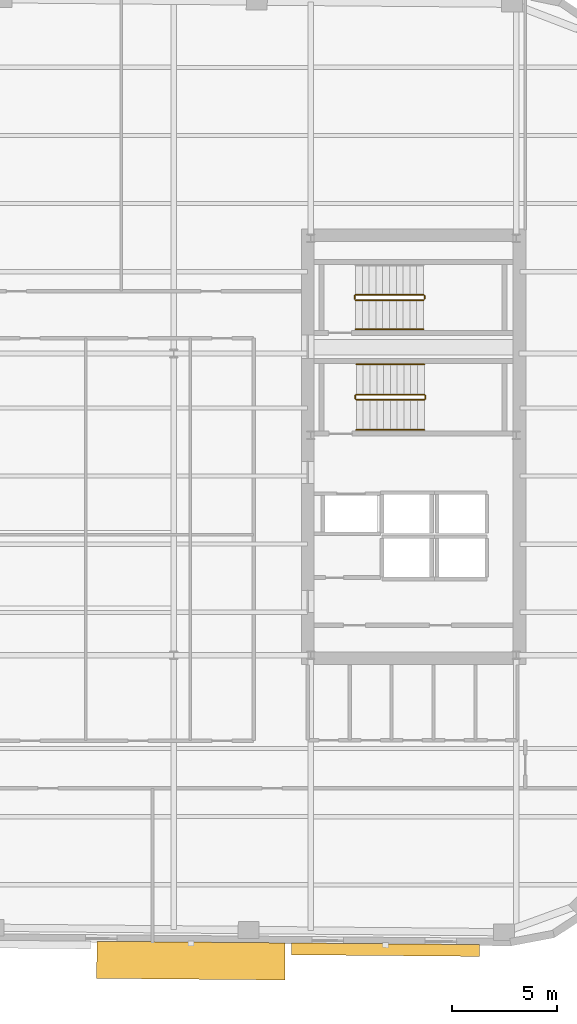
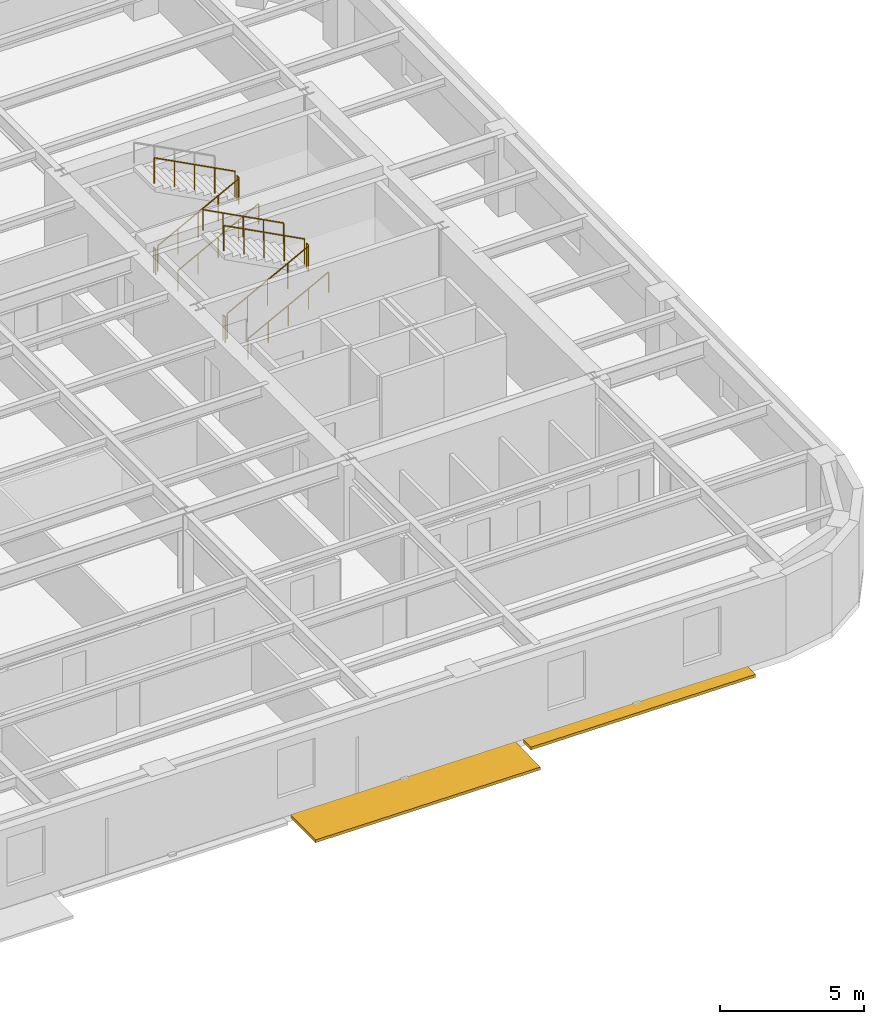
# One storey, part 10 of 11: 11 railings, 2 shading devices.
"""IFC4 building model written with IfcOpenShell, lengths in metres."""

from ifc_helpers import new_model, si_unit, direction, frame, origin, origin_2d, place, context, subcontext, project, spatial, rectangle, circle, extrude, material, type_object, element, save


model = new_model("IFC4")

# Units and contexts
model_context = context("Model", 3, precision=1e-05, world=origin(), true_north=direction((0.0, 1.0)))
body_context = subcontext(model_context, "Body", "Model", "MODEL_VIEW")
ifc_project = project(units=[si_unit("LENGTHUNIT", "METRE"), si_unit("AREAUNIT", "SQUARE_METRE"), si_unit("VOLUMEUNIT", "CUBIC_METRE"), si_unit("PLANEANGLEUNIT", "RADIAN"), si_unit("MASSUNIT", "GRAM", prefix="KILO")], contexts=[model_context])

# Site, building, storey
site_placement = place(None, origin())
site = spatial("IfcSite", under=ifc_project, at=site_placement, CompositionType="ELEMENT")
building_placement = place(site_placement, origin())
building = spatial("IfcBuilding", under=site, at=building_placement, Name="Kolvaren Arena Tower", CompositionType="ELEMENT")
storey_placement = place(building_placement, frame((0.0, 0.0, 207.199951171875)))
storey = spatial("IfcBuildingStorey", under=building, at=storey_placement, Name="L50", CompositionType="ELEMENT", Elevation=207.199951171875)

# Railings
ifc_material_1 = material(Name="Painted galvanized steel", Category="steel")
railing_type_1 = type_object("IfcRailingType", Name="GUARD-ST-110", PredefinedType="GUARDRAIL", material=ifc_material_1)
railing_1_placement = place(storey_placement, frame((52.719970703125, 31.639892578125, 0.17041015625)))
element("IfcRailing", 1, at=railing_1_placement, inside=storey, type_object=railing_type_1, Name="L50 ST-E1 stair guard 1", PredefinedType="GUARDRAIL", context=body_context, shape_type="SweptSolid", body=[
    extrude(circle(Radius=0.02392578125, at=origin_2d()), frame((0.0, 0.0, 1.076171875), z_axis=(0.884993431791, 0.0, 0.465603506952), x_axis=(0.0, 1.0, 0.0)), (0.0, 0.0, 1.0), 3.6611328125),
    extrude(circle(Radius=0.02099609375, at=origin_2d()), origin(), (0.0, 0.0, 1.0), 1.052001953125),
    extrude(circle(Radius=0.02099609375, at=origin_2d()), frame((0.81005859375, 0.0, 0.42626953125)), (0.0, 0.0, 1.0), 1.052001953125),
    extrude(circle(Radius=0.02099609375, at=origin_2d()), frame((1.6201171875, 0.0, 0.852294921875)), (0.0, 0.0, 1.0), 1.052001953125),
    extrude(circle(Radius=0.02099609375, at=origin_2d()), frame((2.429931640625, 0.0, 1.2783203125)), (0.0, 0.0, 1.0), 1.052001953125),
    extrude(circle(Radius=0.02099609375, at=origin_2d()), frame((3.239990234375, 0.0, 1.70458984375)), (0.0, 0.0, 1.0), 1.052001953125),
])
railing_2_placement = place(storey_placement, frame((56.010009765625, 31.68994140625, 1.875)))
element("IfcRailing", 2, at=railing_2_placement, inside=storey, type_object=railing_type_1, Name="L50 ST-E1 stair guard 2", PredefinedType="GUARDRAIL", context=body_context, shape_type="SweptSolid", body=[
    extrude(circle(Radius=0.02392578125, at=origin_2d()), frame((0.0, 0.0, 1.076171875), z_axis=(0.0, 1.0, 0.0), x_axis=(-1.0, 0.0, 0.0)), (0.0, 0.0, 1.0), 0.150146484375),
    extrude(circle(Radius=0.02099609375, at=origin_2d()), origin(), (0.0, 0.0, 1.0), 1.052001953125),
    extrude(circle(Radius=0.02099609375, at=origin_2d()), frame((0.0, 0.150146484375, 0.0)), (0.0, 0.0, 1.0), 1.052001953125),
])
railing_3_placement = place(storey_placement, frame((55.9599609375, 31.889892578125, 2.04541015625)))
element("IfcRailing", 3, at=railing_3_placement, inside=storey, type_object=railing_type_1, Name="L50 ST-E1 stair guard 3", PredefinedType="GUARDRAIL", context=body_context, shape_type="SweptSolid", body=[
    extrude(circle(Radius=0.02392578125, at=origin_2d()), frame((0.0, 0.0, 1.076171875), z_axis=(-0.884993431791, 0.0, 0.465603506952), x_axis=(0.0, -1.0, 0.0)), (0.0, 0.0, 1.0), 3.6611328125),
    extrude(circle(Radius=0.02099609375, at=origin_2d()), origin(), (0.0, 0.0, 1.0), 1.052001953125),
    extrude(circle(Radius=0.02099609375, at=origin_2d()), frame((-0.81005859375, 0.0, 0.42626953125)), (0.0, 0.0, 1.0), 1.052001953125),
    extrude(circle(Radius=0.02099609375, at=origin_2d()), frame((-1.6201171875, 0.0, 0.852294921875)), (0.0, 0.0, 1.0), 1.052001953125),
    extrude(circle(Radius=0.02099609375, at=origin_2d()), frame((-2.429931640625, 0.0, 1.2783203125)), (0.0, 0.0, 1.0), 1.052001953125),
    extrude(circle(Radius=0.02099609375, at=origin_2d()), frame((-3.239990234375, 0.0, 1.70458984375)), (0.0, 0.0, 1.0), 1.052001953125),
])
railing_4_placement = place(storey_placement, frame((52.669921875, 31.68994140625, 0.0)))
element("IfcRailing", 4, at=railing_4_placement, inside=storey, type_object=railing_type_1, Name="L50 ST-E1 stair guard 4", PredefinedType="GUARDRAIL", context=body_context, shape_type="SweptSolid", body=[
    extrude(circle(Radius=0.02392578125, at=origin_2d()), frame((0.0, 0.0, 1.076171875), z_axis=(0.0, 1.0, 0.0), x_axis=(-1.0, 0.0, 0.0)), (0.0, 0.0, 1.0), 0.150146484375),
    extrude(circle(Radius=0.02099609375, at=origin_2d()), origin(), (0.0, 0.0, 1.0), 1.052001953125),
    extrude(circle(Radius=0.02099609375, at=origin_2d()), frame((0.0, 0.150146484375, 0.0)), (0.0, 0.0, 1.0), 1.052001953125),
])
railing_5_placement = place(storey_placement, frame((52.679931640625, 36.39990234375, 0.17041015625)))
element("IfcRailing", 5, at=railing_5_placement, inside=storey, type_object=railing_type_1, Name="L50 ST-E2 stair guard 1", PredefinedType="GUARDRAIL", context=body_context, shape_type="SweptSolid", body=[
    extrude(circle(Radius=0.02392578125, at=origin_2d()), frame((0.0, 0.0, 1.076171875), z_axis=(0.884993431791, 0.0, 0.465603506952), x_axis=(0.0, 1.0, 0.0)), (0.0, 0.0, 1.0), 3.6611328125),
    extrude(circle(Radius=0.02099609375, at=origin_2d()), origin(), (0.0, 0.0, 1.0), 1.052001953125),
    extrude(circle(Radius=0.02099609375, at=origin_2d()), frame((0.81005859375, 0.0, 0.42626953125)), (0.0, 0.0, 1.0), 1.052001953125),
    extrude(circle(Radius=0.02099609375, at=origin_2d()), frame((1.6201171875, 0.0, 0.852294921875)), (0.0, 0.0, 1.0), 1.052001953125),
    extrude(circle(Radius=0.02099609375, at=origin_2d()), frame((2.429931640625, 0.0, 1.2783203125)), (0.0, 0.0, 1.0), 1.052001953125),
    extrude(circle(Radius=0.02099609375, at=origin_2d()), frame((3.239990234375, 0.0, 1.70458984375)), (0.0, 0.0, 1.0), 1.052001953125),
])
railing_6_placement = place(storey_placement, frame((55.969970703125, 36.449951171875, 1.875)))
element("IfcRailing", 6, at=railing_6_placement, inside=storey, type_object=railing_type_1, Name="L50 ST-E2 stair guard 2", PredefinedType="GUARDRAIL", context=body_context, shape_type="SweptSolid", body=[
    extrude(circle(Radius=0.02392578125, at=origin_2d()), frame((0.0, 0.0, 1.076171875), z_axis=(0.0, 1.0, 0.0), x_axis=(-1.0, 0.0, 0.0)), (0.0, 0.0, 1.0), 0.150146484375),
    extrude(circle(Radius=0.02099609375, at=origin_2d()), origin(), (0.0, 0.0, 1.0), 1.052001953125),
    extrude(circle(Radius=0.02099609375, at=origin_2d()), frame((0.0, 0.150146484375, 0.0)), (0.0, 0.0, 1.0), 1.052001953125),
])
railing_7_placement = place(storey_placement, frame((55.919921875, 36.64990234375, 2.04541015625)))
element("IfcRailing", 7, at=railing_7_placement, inside=storey, type_object=railing_type_1, Name="L50 ST-E2 stair guard 3", PredefinedType="GUARDRAIL", context=body_context, shape_type="SweptSolid", body=[
    extrude(circle(Radius=0.02392578125, at=origin_2d()), frame((0.0, 0.0, 1.076171875), z_axis=(-0.884993431791, 0.0, 0.465603506952), x_axis=(0.0, -1.0, 0.0)), (0.0, 0.0, 1.0), 3.6611328125),
    extrude(circle(Radius=0.02099609375, at=origin_2d()), origin(), (0.0, 0.0, 1.0), 1.052001953125),
    extrude(circle(Radius=0.02099609375, at=origin_2d()), frame((-0.81005859375, 0.0, 0.42626953125)), (0.0, 0.0, 1.0), 1.052001953125),
    extrude(circle(Radius=0.02099609375, at=origin_2d()), frame((-1.6201171875, 0.0, 0.852294921875)), (0.0, 0.0, 1.0), 1.052001953125),
    extrude(circle(Radius=0.02099609375, at=origin_2d()), frame((-2.429931640625, 0.0, 1.2783203125)), (0.0, 0.0, 1.0), 1.052001953125),
    extrude(circle(Radius=0.02099609375, at=origin_2d()), frame((-3.239990234375, 0.0, 1.70458984375)), (0.0, 0.0, 1.0), 1.052001953125),
])
railing_8_placement = place(storey_placement, frame((52.6298828125, 36.449951171875, 0.0)))
element("IfcRailing", 8, at=railing_8_placement, inside=storey, type_object=railing_type_1, Name="L50 ST-E2 stair guard 4", PredefinedType="GUARDRAIL", context=body_context, shape_type="SweptSolid", body=[
    extrude(circle(Radius=0.02392578125, at=origin_2d()), frame((0.0, 0.0, 1.076171875), z_axis=(0.0, 1.0, 0.0), x_axis=(-1.0, 0.0, 0.0)), (0.0, 0.0, 1.0), 0.150146484375),
    extrude(circle(Radius=0.02099609375, at=origin_2d()), origin(), (0.0, 0.0, 1.0), 1.052001953125),
    extrude(circle(Radius=0.02099609375, at=origin_2d()), frame((0.0, 0.150146484375, 0.0)), (0.0, 0.0, 1.0), 1.052001953125),
])
ifc_material_2 = material(Name="Brushed stainless steel handrail", Category="steel")
railing_type_2 = type_object("IfcRailingType", Name="HRAIL-900", PredefinedType="HANDRAIL", material=ifc_material_2)
railing_9_placement = place(storey_placement, frame((52.719970703125, 30.199951171875, 0.17041015625)))
element("IfcRailing", 9, at=railing_9_placement, inside=storey, type_object=railing_type_2, Name="L50 ST-E1 stair handrail 1", PredefinedType="HANDRAIL", context=body_context, shape_type="SweptSolid", body=[
    extrude(circle(Radius=0.02392578125, at=origin_2d()), frame((0.0, 0.0, 0.8759765625), z_axis=(0.884993431791, 0.0, 0.465603506952), x_axis=(0.0, 1.0, 0.0)), (0.0, 0.0, 1.0), 3.6611328125),
    extrude(circle(Radius=0.02099609375, at=origin_2d()), origin(), (0.0, 0.0, 1.0), 0.851806640625),
    extrude(circle(Radius=0.02099609375, at=origin_2d()), frame((0.81005859375, 0.0, 0.42626953125)), (0.0, 0.0, 1.0), 0.851806640625),
    extrude(circle(Radius=0.02099609375, at=origin_2d()), frame((1.6201171875, 0.0, 0.852294921875)), (0.0, 0.0, 1.0), 0.851806640625),
    extrude(circle(Radius=0.02099609375, at=origin_2d()), frame((2.429931640625, 0.0, 1.2783203125)), (0.0, 0.0, 1.0), 0.851806640625),
    extrude(circle(Radius=0.02099609375, at=origin_2d()), frame((3.239990234375, 0.0, 1.70458984375)), (0.0, 0.0, 1.0), 0.851806640625),
])
railing_10_placement = place(storey_placement, frame((55.9599609375, 33.330078125, 2.04541015625)))
element("IfcRailing", 10, at=railing_10_placement, inside=storey, type_object=railing_type_2, Name="L50 ST-E1 stair handrail 2", PredefinedType="HANDRAIL", context=body_context, shape_type="SweptSolid", body=[
    extrude(circle(Radius=0.02392578125, at=origin_2d()), frame((0.0, 0.0, 0.8759765625), z_axis=(-0.884993431791, 0.0, 0.465603506952), x_axis=(0.0, -1.0, 0.0)), (0.0, 0.0, 1.0), 3.6611328125),
    extrude(circle(Radius=0.02099609375, at=origin_2d()), origin(), (0.0, 0.0, 1.0), 0.851806640625),
    extrude(circle(Radius=0.02099609375, at=origin_2d()), frame((-0.81005859375, 0.0, 0.42626953125)), (0.0, 0.0, 1.0), 0.851806640625),
    extrude(circle(Radius=0.02099609375, at=origin_2d()), frame((-1.6201171875, 0.0, 0.852294921875)), (0.0, 0.0, 1.0), 0.851806640625),
    extrude(circle(Radius=0.02099609375, at=origin_2d()), frame((-2.429931640625, 0.0, 1.2783203125)), (0.0, 0.0, 1.0), 0.851806640625),
    extrude(circle(Radius=0.02099609375, at=origin_2d()), frame((-3.239990234375, 0.0, 1.70458984375)), (0.0, 0.0, 1.0), 0.851806640625),
])
railing_11_placement = place(storey_placement, frame((52.679931640625, 35.0, 0.17041015625)))
element("IfcRailing", 11, at=railing_11_placement, inside=storey, type_object=railing_type_2, Name="L50 ST-E2 stair handrail 1", PredefinedType="HANDRAIL", context=body_context, shape_type="SweptSolid", body=[
    extrude(circle(Radius=0.02392578125, at=origin_2d()), frame((0.0, 0.0, 0.8759765625), z_axis=(0.884993431791, 0.0, 0.465603506952), x_axis=(0.0, 1.0, 0.0)), (0.0, 0.0, 1.0), 3.6611328125),
    extrude(circle(Radius=0.02099609375, at=origin_2d()), origin(), (0.0, 0.0, 1.0), 0.851806640625),
    extrude(circle(Radius=0.02099609375, at=origin_2d()), frame((0.81005859375, 0.0, 0.42626953125)), (0.0, 0.0, 1.0), 0.851806640625),
    extrude(circle(Radius=0.02099609375, at=origin_2d()), frame((1.6201171875, 0.0, 0.852294921875)), (0.0, 0.0, 1.0), 0.851806640625),
    extrude(circle(Radius=0.02099609375, at=origin_2d()), frame((2.429931640625, 0.0, 1.2783203125)), (0.0, 0.0, 1.0), 0.851806640625),
    extrude(circle(Radius=0.02099609375, at=origin_2d()), frame((3.239990234375, 0.0, 1.70458984375)), (0.0, 0.0, 1.0), 0.851806640625),
])

# Shading devices
ifc_material_3 = material(Name="Architectural precast GFRC and anodised aluminium sunshade", Category="concrete")
shading_device_type_1 = type_object("IfcShadingDeviceType", Name="SHAD-SINE-A", PredefinedType="USERDEFINED", material=ifc_material_3)
shading_device_1_placement = place(storey_placement, frame((54.1083984375, 5.405517578125, -0.139892578125), z_axis=(0.0, 0.0, 1.0), x_axis=(-0.999961923064, 0.008726535498, 0.0)))
element("IfcShadingDevice", 12, at=shading_device_1_placement, inside=storey, type_object=shading_device_type_1, Name="Sinusoidal Slab-Edge Sunshade Louvre (L50)", ObjectType="LOUVRE", PredefinedType="USERDEFINED", context=body_context, shape_type="SweptSolid", body=[
    extrude(rectangle(XDim=8.97998046875, YDim=0.564453125, at=origin_2d()), origin(), (0.0, 0.0, 1.0), 0.1201171875),
])
shading_device_type_2 = type_object("IfcShadingDeviceType", Name="SHAD-SINE-B", PredefinedType="JALOUSIE", material=ifc_material_3)
shading_device_2_placement = place(storey_placement, frame((44.823486328125, 4.88330078125, -0.139892578125), z_axis=(0.0, 0.0, 1.0), x_axis=(-0.999961923064, 0.008726535498, 0.0)))
element("IfcShadingDevice", 13, at=shading_device_2_placement, inside=storey, type_object=shading_device_type_2, Name="Sinusoidal Slab-Edge Sunshade Louvre (L50)", PredefinedType="JALOUSIE", context=body_context, shape_type="SweptSolid", body=[
    extrude(rectangle(XDim=8.97998046875, YDim=1.7705078125, at=origin_2d()), origin(), (0.0, 0.0, 1.0), 0.1201171875),
])

save(model, "model.ifc")
